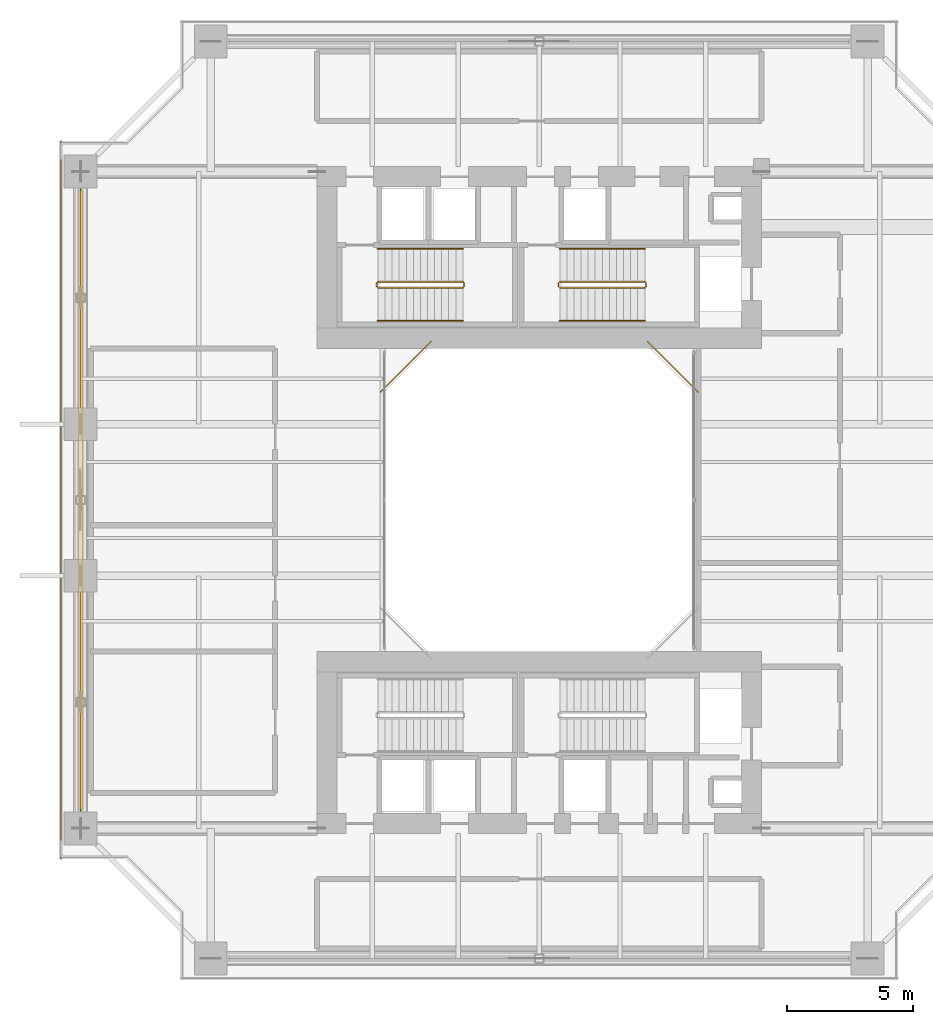
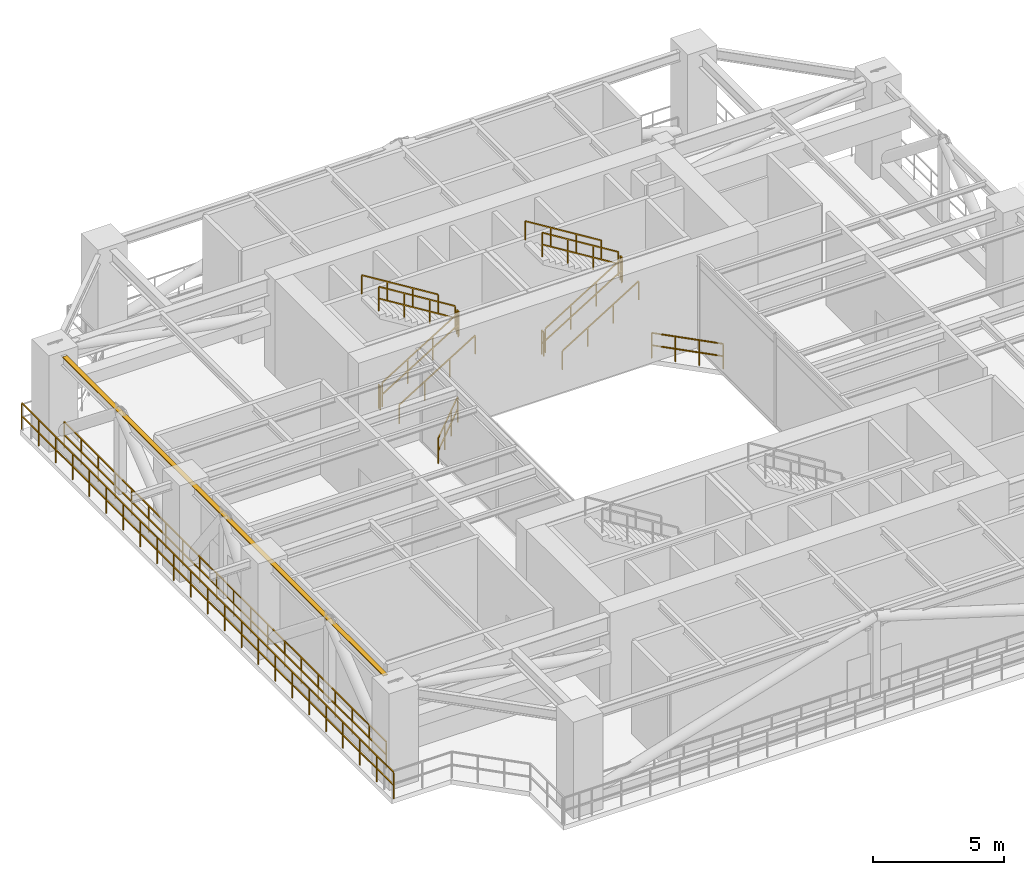
# One storey, part 22 of 26: 16 railings, 1 shading device.
"""IFC4 building model written with IfcOpenShell, lengths in metres."""

from ifc_helpers import new_model, si_unit, direction, frame, origin, origin_2d, place, context, subcontext, project, spatial, rectangle, extrude, source, transform, mapped, material, material_profile, profile_set, type_object, element, save


model = new_model("IFC4")

# Units and contexts
model_context = context("Model", 3, precision=1e-05, world=origin(), true_north=direction((0.0, 1.0)))
body_context = subcontext(model_context, "Body", "Model", "MODEL_VIEW")
ifc_project = project(units=[si_unit("LENGTHUNIT", "METRE"), si_unit("AREAUNIT", "SQUARE_METRE"), si_unit("VOLUMEUNIT", "CUBIC_METRE"), si_unit("PLANEANGLEUNIT", "RADIAN"), si_unit("MASSUNIT", "GRAM", prefix="KILO"), si_unit("THERMODYNAMICTEMPERATUREUNIT", "KELVIN"), si_unit("POWERUNIT", "WATT")], contexts=[model_context])

# Site, building, storey
site_placement = place(None, origin())
site = spatial("IfcSite", under=ifc_project, at=site_placement, CompositionType="ELEMENT")
building_placement = place(site_placement, origin())
building = spatial("IfcBuilding", under=site, at=building_placement, Name="Qiaomeng Ring Towers", CompositionType="ELEMENT")
storey_placement = place(building_placement, frame((0.0, 0.0, 45.75)))
storey = spatial("IfcBuildingStorey", under=building, at=storey_placement, Name="L12", CompositionType="ELEMENT", Elevation=45.75)

# Railings
ifc_material_1 = material(Name="Low-E pale-green laminated safety glass", Category="glass")
railing_type_1 = type_object("IfcRailingType", Name="ARC-RL-BAL1", PredefinedType="BALUSTRADE", material=ifc_material_1)
railing_1_placement = place(storey_placement, frame((25.280029296875, 27.280029296875, 0.0)))
element("IfcRailing", 1, at=railing_1_placement, inside=storey, type_object=railing_type_1, Name="L12 Balustrade ARC-BAL-WELL1-L12-2", PredefinedType="BALUSTRADE", context=body_context, shape_type="SweptSolid", body=[
    extrude(rectangle(XDim=0.048095703125, YDim=0.048095703125, at=origin_2d()), frame((0.0, 0.0, 1.17578125), z_axis=(-0.707106781187, 0.707106781187, 0.0), x_axis=(-0.707106781187, -0.707106781187, 0.0)), (0.0, 0.0, 1.0), 2.828369140625),
    extrude(rectangle(XDim=0.048095703125, YDim=0.048095703125, at=origin_2d()), frame((0.0, 0.0, 0.60009765625), z_axis=(-0.707106781187, 0.707106781187, 0.0), x_axis=(-0.707106781187, -0.707106781187, 0.0)), (0.0, 0.0, 1.0), 2.828369140625),
    extrude(rectangle(XDim=0.0419921875, YDim=0.0419921875, at=origin_2d()), origin(), (0.0, 0.0, 1.0), 1.15185546875),
    extrude(rectangle(XDim=0.0419921875, YDim=0.0419921875, at=origin_2d()), frame((-0.666748046875, 0.666748046875, 0.0)), (0.0, 0.0, 1.0), 1.15185546875),
    extrude(rectangle(XDim=0.0419921875, YDim=0.0419921875, at=origin_2d()), frame((-1.333251953125, 1.333251953125, 0.0)), (0.0, 0.0, 1.0), 1.15185546875),
    extrude(rectangle(XDim=0.0419921875, YDim=0.0419921875, at=origin_2d()), frame((-2.0, 2.0, 0.0)), (0.0, 0.0, 1.0), 1.15185546875),
])
railing_2_placement = place(storey_placement, frame((14.719970703125, 29.280029296875, 0.0)))
element("IfcRailing", 2, at=railing_2_placement, inside=storey, type_object=railing_type_1, Name="L12 Balustrade ARC-BAL-WELL1-L12-3", PredefinedType="BALUSTRADE", context=body_context, shape_type="SweptSolid", body=[
    extrude(rectangle(XDim=0.048095703125, YDim=0.048095703125, at=origin_2d()), frame((0.0, 0.0, 1.17578125), z_axis=(-0.707106781187, -0.707106781187, 0.0), x_axis=(0.707106781187, -0.707106781187, 0.0)), (0.0, 0.0, 1.0), 2.828369140625),
    extrude(rectangle(XDim=0.048095703125, YDim=0.048095703125, at=origin_2d()), frame((0.0, 0.0, 0.60009765625), z_axis=(-0.707106781187, -0.707106781187, 0.0), x_axis=(0.707106781187, -0.707106781187, 0.0)), (0.0, 0.0, 1.0), 2.828369140625),
    extrude(rectangle(XDim=0.0419921875, YDim=0.0419921875, at=origin_2d()), origin(), (0.0, 0.0, 1.0), 1.15185546875),
    extrude(rectangle(XDim=0.0419921875, YDim=0.0419921875, at=origin_2d()), frame((-0.666748046875, -0.666748046875, 0.0)), (0.0, 0.0, 1.0), 1.15185546875),
    extrude(rectangle(XDim=0.0419921875, YDim=0.0419921875, at=origin_2d()), frame((-1.333251953125, -1.333251953125, 0.0)), (0.0, 0.0, 1.0), 1.15185546875),
    extrude(rectangle(XDim=0.0419921875, YDim=0.0419921875, at=origin_2d()), frame((-2.0, -2.0, 0.0)), (0.0, 0.0, 1.0), 1.15185546875),
])
ifc_material_2 = material(Name="Stainless steel 316", Category="steel")
railing_type_2 = type_object("IfcRailingType", Name="ARC-RL-BAL2", PredefinedType="BALUSTRADE", material=ifc_material_2)
railing_3_placement = place(storey_placement, frame((0.85009765625, 35.300048828125, 0.0)))
element("IfcRailing", 3, at=railing_3_placement, inside=storey, type_object=railing_type_2, Name="L12 Open Refuge Band Perimeter Guard W", PredefinedType="BALUSTRADE", context=body_context, shape_type="SweptSolid", body=[
    extrude(rectangle(XDim=0.048095703125, YDim=0.048095703125, at=origin_2d()), frame((0.0, 0.0, 1.22607421875), z_axis=(0.0, -1.0, 0.0), x_axis=(1.0, 0.0, 0.0)), (0.0, 0.0, 1.0), 24.60009765625),
    extrude(rectangle(XDim=0.048095703125, YDim=0.048095703125, at=origin_2d()), frame((0.0, 0.0, 0.625), z_axis=(0.0, -1.0, 0.0), x_axis=(1.0, 0.0, 0.0)), (0.0, 0.0, 1.0), 24.60009765625),
    extrude(rectangle(XDim=0.0419921875, YDim=0.0419921875, at=origin_2d()), origin(), (0.0, 0.0, 1.0), 1.201904296875),
    extrude(rectangle(XDim=0.0419921875, YDim=0.0419921875, at=origin_2d()), frame((0.0, -1.294677734375, 0.0)), (0.0, 0.0, 1.0), 1.201904296875),
    extrude(rectangle(XDim=0.0419921875, YDim=0.0419921875, at=origin_2d()), frame((0.0, -2.589599609375, 0.0)), (0.0, 0.0, 1.0), 1.201904296875),
    extrude(rectangle(XDim=0.0419921875, YDim=0.0419921875, at=origin_2d()), frame((0.0, -3.88427734375, 0.0)), (0.0, 0.0, 1.0), 1.201904296875),
    extrude(rectangle(XDim=0.0419921875, YDim=0.0419921875, at=origin_2d()), frame((0.0, -5.178955078125, 0.0)), (0.0, 0.0, 1.0), 1.201904296875),
    extrude(rectangle(XDim=0.0419921875, YDim=0.0419921875, at=origin_2d()), frame((0.0, -6.4736328125, 0.0)), (0.0, 0.0, 1.0), 1.201904296875),
    extrude(rectangle(XDim=0.0419921875, YDim=0.0419921875, at=origin_2d()), frame((0.0, -7.7685546875, 0.0)), (0.0, 0.0, 1.0), 1.201904296875),
    extrude(rectangle(XDim=0.0419921875, YDim=0.0419921875, at=origin_2d()), frame((0.0, -9.063232421875, 0.0)), (0.0, 0.0, 1.0), 1.201904296875),
    extrude(rectangle(XDim=0.0419921875, YDim=0.0419921875, at=origin_2d()), frame((0.0, -10.35791015625, 0.0)), (0.0, 0.0, 1.0), 1.201904296875),
    extrude(rectangle(XDim=0.0419921875, YDim=0.0419921875, at=origin_2d()), frame((0.0, -11.652587890625, 0.0)), (0.0, 0.0, 1.0), 1.201904296875),
    extrude(rectangle(XDim=0.0419921875, YDim=0.0419921875, at=origin_2d()), frame((0.0, -12.947509765625, 0.0)), (0.0, 0.0, 1.0), 1.201904296875),
    extrude(rectangle(XDim=0.0419921875, YDim=0.0419921875, at=origin_2d()), frame((0.0, -14.2421875, 0.0)), (0.0, 0.0, 1.0), 1.201904296875),
    extrude(rectangle(XDim=0.0419921875, YDim=0.0419921875, at=origin_2d()), frame((0.0, -15.536865234375, 0.0)), (0.0, 0.0, 1.0), 1.201904296875),
    extrude(rectangle(XDim=0.0419921875, YDim=0.0419921875, at=origin_2d()), frame((0.0, -16.83154296875, 0.0)), (0.0, 0.0, 1.0), 1.201904296875),
    extrude(rectangle(XDim=0.0419921875, YDim=0.0419921875, at=origin_2d()), frame((0.0, -18.12646484375, 0.0)), (0.0, 0.0, 1.0), 1.201904296875),
    extrude(rectangle(XDim=0.0419921875, YDim=0.0419921875, at=origin_2d()), frame((0.0, -19.421142578125, 0.0)), (0.0, 0.0, 1.0), 1.201904296875),
    extrude(rectangle(XDim=0.0419921875, YDim=0.0419921875, at=origin_2d()), frame((0.0, -20.7158203125, 0.0)), (0.0, 0.0, 1.0), 1.201904296875),
    extrude(rectangle(XDim=0.0419921875, YDim=0.0419921875, at=origin_2d()), frame((0.0, -22.010498046875, 0.0)), (0.0, 0.0, 1.0), 1.201904296875),
    extrude(rectangle(XDim=0.0419921875, YDim=0.0419921875, at=origin_2d()), frame((0.0, -23.305419921875, 0.0)), (0.0, 0.0, 1.0), 1.201904296875),
    extrude(rectangle(XDim=0.0419921875, YDim=0.0419921875, at=origin_2d()), frame((0.0, -24.60009765625, 0.0)), (0.0, 0.0, 1.0), 1.201904296875),
])
railing_4_placement = place(storey_placement, frame((0.080078125, 8.800048828125, 0.0)))
element("IfcRailing", 4, at=railing_4_placement, inside=storey, type_object=railing_type_2, Name="L12 Balustrade ARC-BAL-REF-W-L12", PredefinedType="BALUSTRADE", context=body_context, shape_type="SweptSolid", body=[
    extrude(rectangle(XDim=0.048095703125, YDim=0.048095703125, at=origin_2d()), frame((0.0, 0.0, 1.22607421875), z_axis=(0.0, 1.0, 0.0), x_axis=(-1.0, 0.0, 0.0)), (0.0, 0.0, 1.0), 28.39990234375),
    extrude(rectangle(XDim=0.048095703125, YDim=0.048095703125, at=origin_2d()), frame((0.0, 0.0, 0.625), z_axis=(0.0, 1.0, 0.0), x_axis=(-1.0, 0.0, 0.0)), (0.0, 0.0, 1.0), 28.39990234375),
    extrude(rectangle(XDim=0.0419921875, YDim=0.0419921875, at=origin_2d()), origin(), (0.0, 0.0, 1.0), 1.201904296875),
    extrude(rectangle(XDim=0.0419921875, YDim=0.0419921875, at=origin_2d()), frame((0.0, 1.291015625, 0.0)), (0.0, 0.0, 1.0), 1.201904296875),
    extrude(rectangle(XDim=0.0419921875, YDim=0.0419921875, at=origin_2d()), frame((0.0, 2.581787109375, 0.0)), (0.0, 0.0, 1.0), 1.201904296875),
    extrude(rectangle(XDim=0.0419921875, YDim=0.0419921875, at=origin_2d()), frame((0.0, 3.872802734375, 0.0)), (0.0, 0.0, 1.0), 1.201904296875),
    extrude(rectangle(XDim=0.0419921875, YDim=0.0419921875, at=origin_2d()), frame((0.0, 5.16357421875, 0.0)), (0.0, 0.0, 1.0), 1.201904296875),
    extrude(rectangle(XDim=0.0419921875, YDim=0.0419921875, at=origin_2d()), frame((0.0, 6.45458984375, 0.0)), (0.0, 0.0, 1.0), 1.201904296875),
    extrude(rectangle(XDim=0.0419921875, YDim=0.0419921875, at=origin_2d()), frame((0.0, 7.745361328125, 0.0)), (0.0, 0.0, 1.0), 1.201904296875),
    extrude(rectangle(XDim=0.0419921875, YDim=0.0419921875, at=origin_2d()), frame((0.0, 9.036376953125, 0.0)), (0.0, 0.0, 1.0), 1.201904296875),
    extrude(rectangle(XDim=0.0419921875, YDim=0.0419921875, at=origin_2d()), frame((0.0, 10.3271484375, 0.0)), (0.0, 0.0, 1.0), 1.201904296875),
    extrude(rectangle(XDim=0.0419921875, YDim=0.0419921875, at=origin_2d()), frame((0.0, 11.6181640625, 0.0)), (0.0, 0.0, 1.0), 1.201904296875),
    extrude(rectangle(XDim=0.0419921875, YDim=0.0419921875, at=origin_2d()), frame((0.0, 12.908935546875, 0.0)), (0.0, 0.0, 1.0), 1.201904296875),
    extrude(rectangle(XDim=0.0419921875, YDim=0.0419921875, at=origin_2d()), frame((0.0, 14.199951171875, 0.0)), (0.0, 0.0, 1.0), 1.201904296875),
    extrude(rectangle(XDim=0.0419921875, YDim=0.0419921875, at=origin_2d()), frame((0.0, 15.490966796875, 0.0)), (0.0, 0.0, 1.0), 1.201904296875),
    extrude(rectangle(XDim=0.0419921875, YDim=0.0419921875, at=origin_2d()), frame((0.0, 16.78173828125, 0.0)), (0.0, 0.0, 1.0), 1.201904296875),
    extrude(rectangle(XDim=0.0419921875, YDim=0.0419921875, at=origin_2d()), frame((0.0, 18.07275390625, 0.0)), (0.0, 0.0, 1.0), 1.201904296875),
    extrude(rectangle(XDim=0.0419921875, YDim=0.0419921875, at=origin_2d()), frame((0.0, 19.363525390625, 0.0)), (0.0, 0.0, 1.0), 1.201904296875),
    extrude(rectangle(XDim=0.0419921875, YDim=0.0419921875, at=origin_2d()), frame((0.0, 20.654541015625, 0.0)), (0.0, 0.0, 1.0), 1.201904296875),
    extrude(rectangle(XDim=0.0419921875, YDim=0.0419921875, at=origin_2d()), frame((0.0, 21.9453125, 0.0)), (0.0, 0.0, 1.0), 1.201904296875),
    extrude(rectangle(XDim=0.0419921875, YDim=0.0419921875, at=origin_2d()), frame((0.0, 23.236328125, 0.0)), (0.0, 0.0, 1.0), 1.201904296875),
    extrude(rectangle(XDim=0.0419921875, YDim=0.0419921875, at=origin_2d()), frame((0.0, 24.527099609375, 0.0)), (0.0, 0.0, 1.0), 1.201904296875),
    extrude(rectangle(XDim=0.0419921875, YDim=0.0419921875, at=origin_2d()), frame((0.0, 25.818115234375, 0.0)), (0.0, 0.0, 1.0), 1.201904296875),
    extrude(rectangle(XDim=0.0419921875, YDim=0.0419921875, at=origin_2d()), frame((0.0, 27.10888671875, 0.0)), (0.0, 0.0, 1.0), 1.201904296875),
    extrude(rectangle(XDim=0.0419921875, YDim=0.0419921875, at=origin_2d()), frame((0.0, 28.39990234375, 0.0)), (0.0, 0.0, 1.0), 1.201904296875),
])
ifc_material_3 = material(Name="Galvanised steel", Category="steel")
railing_type_3 = type_object("IfcRailingType", Name="ARC-RL-GUARD", PredefinedType="GUARDRAIL", material=ifc_material_3)
railing_5_placement = place(storey_placement, frame((12.6201171875, 31.39990234375, 0.173095703125)))
element("IfcRailing", 5, at=railing_5_placement, inside=storey, type_object=railing_type_3, Name="L12 ST1 stair guard 1", PredefinedType="GUARDRAIL", context=body_context, shape_type="SweptSolid", body=[
    extrude(rectangle(XDim=0.048095703125, YDim=0.048095703125, at=origin_2d()), frame((0.0, 0.0, 1.1259765625), z_axis=(0.850606129759, 0.0, 0.525803396734), x_axis=(0.0, 1.0, 0.0)), (0.0, 0.0, 1.0), 3.949951171875),
    extrude(rectangle(XDim=0.048095703125, YDim=0.048095703125, at=origin_2d()), frame((0.0, 0.0, 0.574951171875), z_axis=(0.850606129759, 0.0, 0.525803396734), x_axis=(0.0, 1.0, 0.0)), (0.0, 0.0, 1.0), 3.949951171875),
    extrude(rectangle(XDim=0.0419921875, YDim=0.0419921875, at=origin_2d()), origin(), (0.0, 0.0, 1.0), 1.101806640625),
    extrude(rectangle(XDim=0.0419921875, YDim=0.0419921875, at=origin_2d()), frame((1.119873046875, 0.0, 0.6923828125)), (0.0, 0.0, 1.0), 1.101806640625),
    extrude(rectangle(XDim=0.0419921875, YDim=0.0419921875, at=origin_2d()), frame((2.239990234375, 0.0, 1.384521484375)), (0.0, 0.0, 1.0), 1.101806640625),
    extrude(rectangle(XDim=0.0419921875, YDim=0.0419921875, at=origin_2d()), frame((3.35986328125, 0.0, 2.076904296875)), (0.0, 0.0, 1.0), 1.101806640625),
])
railing_6_placement = place(storey_placement, frame((16.030029296875, 31.449951171875, 2.25)))
element("IfcRailing", 6, at=railing_6_placement, inside=storey, type_object=railing_type_3, Name="L12 ST1 stair guard 2", PredefinedType="GUARDRAIL", context=body_context, shape_type="SweptSolid", body=[
    extrude(rectangle(XDim=0.048095703125, YDim=0.048095703125, at=origin_2d()), frame((0.0, 0.0, 1.1259765625), z_axis=(0.0, 1.0, 0.0), x_axis=(-1.0, 0.0, 0.0)), (0.0, 0.0, 1.0), 0.14013671875),
    extrude(rectangle(XDim=0.048095703125, YDim=0.048095703125, at=origin_2d()), frame((0.0, 0.0, 0.574951171875), z_axis=(0.0, 1.0, 0.0), x_axis=(-1.0, 0.0, 0.0)), (0.0, 0.0, 1.0), 0.14013671875),
    extrude(rectangle(XDim=0.0419921875, YDim=0.0419921875, at=origin_2d()), origin(), (0.0, 0.0, 1.0), 1.101806640625),
    extrude(rectangle(XDim=0.0419921875, YDim=0.0419921875, at=origin_2d()), frame((0.0, 0.14013671875, 0.0)), (0.0, 0.0, 1.0), 1.101806640625),
])
railing_7_placement = place(storey_placement, frame((15.97998046875, 31.639892578125, 2.423095703125)))
element("IfcRailing", 7, at=railing_7_placement, inside=storey, type_object=railing_type_3, Name="L12 ST1 stair guard 3", PredefinedType="GUARDRAIL", context=body_context, shape_type="SweptSolid", body=[
    extrude(rectangle(XDim=0.048095703125, YDim=0.048095703125, at=origin_2d()), frame((0.0, 0.0, 1.1259765625), z_axis=(-0.850606129759, 0.0, 0.525803396734), x_axis=(0.0, -1.0, 0.0)), (0.0, 0.0, 1.0), 3.949951171875),
    extrude(rectangle(XDim=0.048095703125, YDim=0.048095703125, at=origin_2d()), frame((0.0, 0.0, 0.574951171875), z_axis=(-0.850606129759, 0.0, 0.525803396734), x_axis=(0.0, -1.0, 0.0)), (0.0, 0.0, 1.0), 3.949951171875),
    extrude(rectangle(XDim=0.0419921875, YDim=0.0419921875, at=origin_2d()), origin(), (0.0, 0.0, 1.0), 1.101806640625),
    extrude(rectangle(XDim=0.0419921875, YDim=0.0419921875, at=origin_2d()), frame((-1.119873046875, 0.0, 0.6923828125)), (0.0, 0.0, 1.0), 1.101806640625),
    extrude(rectangle(XDim=0.0419921875, YDim=0.0419921875, at=origin_2d()), frame((-2.239990234375, 0.0, 1.384521484375)), (0.0, 0.0, 1.0), 1.101806640625),
    extrude(rectangle(XDim=0.0419921875, YDim=0.0419921875, at=origin_2d()), frame((-3.35986328125, 0.0, 2.076904296875)), (0.0, 0.0, 1.0), 1.101806640625),
])
railing_8_placement = place(storey_placement, frame((12.570068359375, 31.449951171875, 0.0)))
element("IfcRailing", 8, at=railing_8_placement, inside=storey, type_object=railing_type_3, Name="L12 ST1 stair guard 4", PredefinedType="GUARDRAIL", context=body_context, shape_type="SweptSolid", body=[
    extrude(rectangle(XDim=0.048095703125, YDim=0.048095703125, at=origin_2d()), frame((0.0, 0.0, 1.1259765625), z_axis=(0.0, 1.0, 0.0), x_axis=(-1.0, 0.0, 0.0)), (0.0, 0.0, 1.0), 0.14013671875),
    extrude(rectangle(XDim=0.048095703125, YDim=0.048095703125, at=origin_2d()), frame((0.0, 0.0, 0.574951171875), z_axis=(0.0, 1.0, 0.0), x_axis=(-1.0, 0.0, 0.0)), (0.0, 0.0, 1.0), 0.14013671875),
    extrude(rectangle(XDim=0.0419921875, YDim=0.0419921875, at=origin_2d()), origin(), (0.0, 0.0, 1.0), 1.101806640625),
    extrude(rectangle(XDim=0.0419921875, YDim=0.0419921875, at=origin_2d()), frame((0.0, 0.14013671875, 0.0)), (0.0, 0.0, 1.0), 1.101806640625),
])
railing_9_placement = place(storey_placement, frame((19.820068359375, 31.39990234375, 0.173095703125)))
element("IfcRailing", 9, at=railing_9_placement, inside=storey, type_object=railing_type_3, Name="L12 ST2 stair guard 1", PredefinedType="GUARDRAIL", context=body_context, shape_type="SweptSolid", body=[
    extrude(rectangle(XDim=0.048095703125, YDim=0.048095703125, at=origin_2d()), frame((0.0, 0.0, 1.1259765625), z_axis=(0.850606129759, 0.0, 0.525803396734), x_axis=(0.0, 1.0, 0.0)), (0.0, 0.0, 1.0), 3.949951171875),
    extrude(rectangle(XDim=0.048095703125, YDim=0.048095703125, at=origin_2d()), frame((0.0, 0.0, 0.574951171875), z_axis=(0.850606129759, 0.0, 0.525803396734), x_axis=(0.0, 1.0, 0.0)), (0.0, 0.0, 1.0), 3.949951171875),
    extrude(rectangle(XDim=0.0419921875, YDim=0.0419921875, at=origin_2d()), origin(), (0.0, 0.0, 1.0), 1.101806640625),
    extrude(rectangle(XDim=0.0419921875, YDim=0.0419921875, at=origin_2d()), frame((1.119873046875, 0.0, 0.6923828125)), (0.0, 0.0, 1.0), 1.101806640625),
    extrude(rectangle(XDim=0.0419921875, YDim=0.0419921875, at=origin_2d()), frame((2.239990234375, 0.0, 1.384521484375)), (0.0, 0.0, 1.0), 1.101806640625),
    extrude(rectangle(XDim=0.0419921875, YDim=0.0419921875, at=origin_2d()), frame((3.35986328125, 0.0, 2.076904296875)), (0.0, 0.0, 1.0), 1.101806640625),
])
railing_10_placement = place(storey_placement, frame((23.22998046875, 31.449951171875, 2.25)))
element("IfcRailing", 10, at=railing_10_placement, inside=storey, type_object=railing_type_3, Name="L12 ST2 stair guard 2", PredefinedType="GUARDRAIL", context=body_context, shape_type="SweptSolid", body=[
    extrude(rectangle(XDim=0.048095703125, YDim=0.048095703125, at=origin_2d()), frame((0.0, 0.0, 1.1259765625), z_axis=(0.0, 1.0, 0.0), x_axis=(-1.0, 0.0, 0.0)), (0.0, 0.0, 1.0), 0.14013671875),
    extrude(rectangle(XDim=0.048095703125, YDim=0.048095703125, at=origin_2d()), frame((0.0, 0.0, 0.574951171875), z_axis=(0.0, 1.0, 0.0), x_axis=(-1.0, 0.0, 0.0)), (0.0, 0.0, 1.0), 0.14013671875),
    extrude(rectangle(XDim=0.0419921875, YDim=0.0419921875, at=origin_2d()), origin(), (0.0, 0.0, 1.0), 1.101806640625),
    extrude(rectangle(XDim=0.0419921875, YDim=0.0419921875, at=origin_2d()), frame((0.0, 0.14013671875, 0.0)), (0.0, 0.0, 1.0), 1.101806640625),
])
railing_11_placement = place(storey_placement, frame((23.179931640625, 31.639892578125, 2.423095703125)))
element("IfcRailing", 11, at=railing_11_placement, inside=storey, type_object=railing_type_3, Name="L12 ST2 stair guard 3", PredefinedType="GUARDRAIL", context=body_context, shape_type="SweptSolid", body=[
    extrude(rectangle(XDim=0.048095703125, YDim=0.048095703125, at=origin_2d()), frame((0.0, 0.0, 1.1259765625), z_axis=(-0.850606129759, 0.0, 0.525803396734), x_axis=(0.0, -1.0, 0.0)), (0.0, 0.0, 1.0), 3.949951171875),
    extrude(rectangle(XDim=0.048095703125, YDim=0.048095703125, at=origin_2d()), frame((0.0, 0.0, 0.574951171875), z_axis=(-0.850606129759, 0.0, 0.525803396734), x_axis=(0.0, -1.0, 0.0)), (0.0, 0.0, 1.0), 3.949951171875),
    extrude(rectangle(XDim=0.0419921875, YDim=0.0419921875, at=origin_2d()), origin(), (0.0, 0.0, 1.0), 1.101806640625),
    extrude(rectangle(XDim=0.0419921875, YDim=0.0419921875, at=origin_2d()), frame((-1.119873046875, 0.0, 0.6923828125)), (0.0, 0.0, 1.0), 1.101806640625),
    extrude(rectangle(XDim=0.0419921875, YDim=0.0419921875, at=origin_2d()), frame((-2.239990234375, 0.0, 1.384521484375)), (0.0, 0.0, 1.0), 1.101806640625),
    extrude(rectangle(XDim=0.0419921875, YDim=0.0419921875, at=origin_2d()), frame((-3.35986328125, 0.0, 2.076904296875)), (0.0, 0.0, 1.0), 1.101806640625),
])
railing_12_placement = place(storey_placement, frame((19.77001953125, 31.449951171875, 0.0)))
element("IfcRailing", 12, at=railing_12_placement, inside=storey, type_object=railing_type_3, Name="L12 ST2 stair guard 4", PredefinedType="GUARDRAIL", context=body_context, shape_type="SweptSolid", body=[
    extrude(rectangle(XDim=0.048095703125, YDim=0.048095703125, at=origin_2d()), frame((0.0, 0.0, 1.1259765625), z_axis=(0.0, 1.0, 0.0), x_axis=(-1.0, 0.0, 0.0)), (0.0, 0.0, 1.0), 0.14013671875),
    extrude(rectangle(XDim=0.048095703125, YDim=0.048095703125, at=origin_2d()), frame((0.0, 0.0, 0.574951171875), z_axis=(0.0, 1.0, 0.0), x_axis=(-1.0, 0.0, 0.0)), (0.0, 0.0, 1.0), 0.14013671875),
    extrude(rectangle(XDim=0.0419921875, YDim=0.0419921875, at=origin_2d()), origin(), (0.0, 0.0, 1.0), 1.101806640625),
    extrude(rectangle(XDim=0.0419921875, YDim=0.0419921875, at=origin_2d()), frame((0.0, 0.14013671875, 0.0)), (0.0, 0.0, 1.0), 1.101806640625),
])
railing_type_4 = type_object("IfcRailingType", Name="ARC-RL-HAND", PredefinedType="HANDRAIL", material=ifc_material_2)
railing_13_placement = place(storey_placement, frame((12.6201171875, 30.10009765625, 0.173095703125)))
element("IfcRailing", 13, at=railing_13_placement, inside=storey, type_object=railing_type_4, Name="L12 ST1 stair handrail 1", PredefinedType="HANDRAIL", context=body_context, shape_type="SweptSolid", body=[
    extrude(rectangle(XDim=0.048095703125, YDim=0.048095703125, at=origin_2d()), frame((0.0, 0.0, 0.8759765625), z_axis=(0.850606129759, 0.0, 0.525803396734), x_axis=(0.0, 1.0, 0.0)), (0.0, 0.0, 1.0), 3.949951171875),
    extrude(rectangle(XDim=0.0419921875, YDim=0.0419921875, at=origin_2d()), origin(), (0.0, 0.0, 1.0), 0.851806640625),
    extrude(rectangle(XDim=0.0419921875, YDim=0.0419921875, at=origin_2d()), frame((1.119873046875, 0.0, 0.6923828125)), (0.0, 0.0, 1.0), 0.851806640625),
    extrude(rectangle(XDim=0.0419921875, YDim=0.0419921875, at=origin_2d()), frame((2.239990234375, 0.0, 1.384521484375)), (0.0, 0.0, 1.0), 0.851806640625),
    extrude(rectangle(XDim=0.0419921875, YDim=0.0419921875, at=origin_2d()), frame((3.35986328125, 0.0, 2.076904296875)), (0.0, 0.0, 1.0), 0.851806640625),
])
railing_14_placement = place(storey_placement, frame((15.97998046875, 32.93994140625, 2.423095703125)))
element("IfcRailing", 14, at=railing_14_placement, inside=storey, type_object=railing_type_4, Name="L12 ST1 stair handrail 2", PredefinedType="HANDRAIL", context=body_context, shape_type="SweptSolid", body=[
    extrude(rectangle(XDim=0.048095703125, YDim=0.048095703125, at=origin_2d()), frame((0.0, 0.0, 0.8759765625), z_axis=(-0.850606129759, 0.0, 0.525803396734), x_axis=(0.0, -1.0, 0.0)), (0.0, 0.0, 1.0), 3.949951171875),
    extrude(rectangle(XDim=0.0419921875, YDim=0.0419921875, at=origin_2d()), origin(), (0.0, 0.0, 1.0), 0.851806640625),
    extrude(rectangle(XDim=0.0419921875, YDim=0.0419921875, at=origin_2d()), frame((-1.119873046875, 0.0, 0.6923828125)), (0.0, 0.0, 1.0), 0.851806640625),
    extrude(rectangle(XDim=0.0419921875, YDim=0.0419921875, at=origin_2d()), frame((-2.239990234375, 0.0, 1.384521484375)), (0.0, 0.0, 1.0), 0.851806640625),
    extrude(rectangle(XDim=0.0419921875, YDim=0.0419921875, at=origin_2d()), frame((-3.35986328125, 0.0, 2.076904296875)), (0.0, 0.0, 1.0), 0.851806640625),
])
railing_15_placement = place(storey_placement, frame((19.820068359375, 30.10009765625, 0.173095703125)))
element("IfcRailing", 15, at=railing_15_placement, inside=storey, type_object=railing_type_4, Name="L12 ST2 stair handrail 1", PredefinedType="HANDRAIL", context=body_context, shape_type="SweptSolid", body=[
    extrude(rectangle(XDim=0.048095703125, YDim=0.048095703125, at=origin_2d()), frame((0.0, 0.0, 0.8759765625), z_axis=(0.850606129759, 0.0, 0.525803396734), x_axis=(0.0, 1.0, 0.0)), (0.0, 0.0, 1.0), 3.949951171875),
    extrude(rectangle(XDim=0.0419921875, YDim=0.0419921875, at=origin_2d()), origin(), (0.0, 0.0, 1.0), 0.851806640625),
    extrude(rectangle(XDim=0.0419921875, YDim=0.0419921875, at=origin_2d()), frame((1.119873046875, 0.0, 0.6923828125)), (0.0, 0.0, 1.0), 0.851806640625),
    extrude(rectangle(XDim=0.0419921875, YDim=0.0419921875, at=origin_2d()), frame((2.239990234375, 0.0, 1.384521484375)), (0.0, 0.0, 1.0), 0.851806640625),
    extrude(rectangle(XDim=0.0419921875, YDim=0.0419921875, at=origin_2d()), frame((3.35986328125, 0.0, 2.076904296875)), (0.0, 0.0, 1.0), 0.851806640625),
])
railing_16_placement = place(storey_placement, frame((23.179931640625, 32.93994140625, 2.423095703125)))
element("IfcRailing", 16, at=railing_16_placement, inside=storey, type_object=railing_type_4, Name="L12 ST2 stair handrail 2", PredefinedType="HANDRAIL", context=body_context, shape_type="SweptSolid", body=[
    extrude(rectangle(XDim=0.048095703125, YDim=0.048095703125, at=origin_2d()), frame((0.0, 0.0, 0.8759765625), z_axis=(-0.850606129759, 0.0, 0.525803396734), x_axis=(0.0, -1.0, 0.0)), (0.0, 0.0, 1.0), 3.949951171875),
    extrude(rectangle(XDim=0.0419921875, YDim=0.0419921875, at=origin_2d()), origin(), (0.0, 0.0, 1.0), 0.851806640625),
    extrude(rectangle(XDim=0.0419921875, YDim=0.0419921875, at=origin_2d()), frame((-1.119873046875, 0.0, 0.6923828125)), (0.0, 0.0, 1.0), 0.851806640625),
    extrude(rectangle(XDim=0.0419921875, YDim=0.0419921875, at=origin_2d()), frame((-2.239990234375, 0.0, 1.384521484375)), (0.0, 0.0, 1.0), 0.851806640625),
    extrude(rectangle(XDim=0.0419921875, YDim=0.0419921875, at=origin_2d()), frame((-3.35986328125, 0.0, 2.076904296875)), (0.0, 0.0, 1.0), 0.851806640625),
])

# Shading device
ifc_material_profile = material_profile(ifc_material_2, rectangle(XDim=0.199951171875, YDim=0.0400390625, at=origin_2d()), Name="LV BLADE 200x40")
ifc_profile_set = profile_set([ifc_material_profile], Name="Stainless steel 316")
shading_device_type = type_object("IfcShadingDeviceType", Name="ARC-SHD-LOUVRE", PredefinedType="JALOUSIE", material=ifc_profile_set)
shared_shape = source(origin(), body_context, "Body", "SweptSolid", [
    extrude(rectangle(XDim=0.199951171875, YDim=0.0400390625, at=origin_2d()), origin(), (0.0, 0.0, 1.0), 24.5),
])
shading_device_placement = place(storey_placement, frame((0.85009765625, 35.25, 4.300048828125), z_axis=(0.0, -1.0, 0.0), x_axis=(1.0, 0.0, 0.0)))
element("IfcShadingDevice", 17, at=shading_device_placement, inside=storey, type_object=shading_device_type, Name="L12 Stainless Acoustic Intake Louvre W", PredefinedType="JALOUSIE", context=body_context, shape_type="MappedRepresentation", body=[
    mapped(shared_shape, transform((0.0, 0.0, 0.0), x_axis=(1.0, 0.0, 0.0), y_axis=(0.0, 1.0, 0.0), z_axis=(0.0, 0.0, 1.0), scale=1.0)),
])

save(model, "model.ifc")
